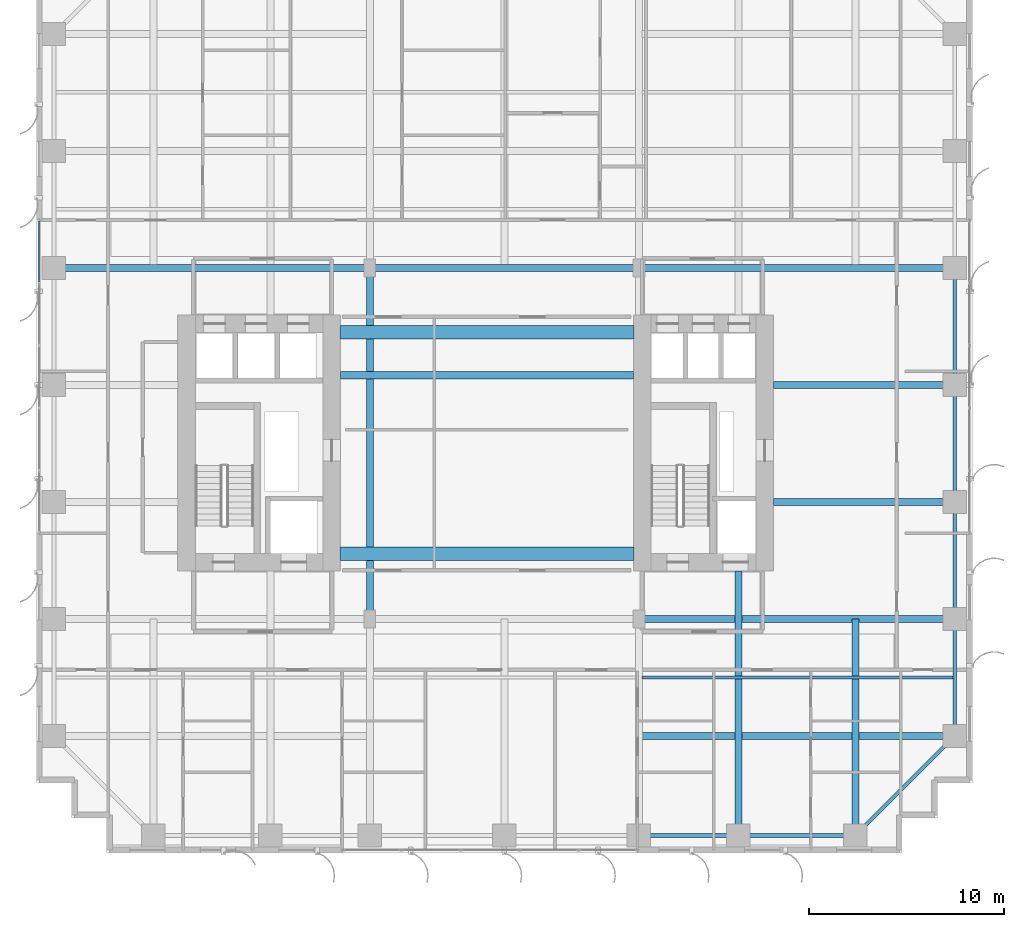
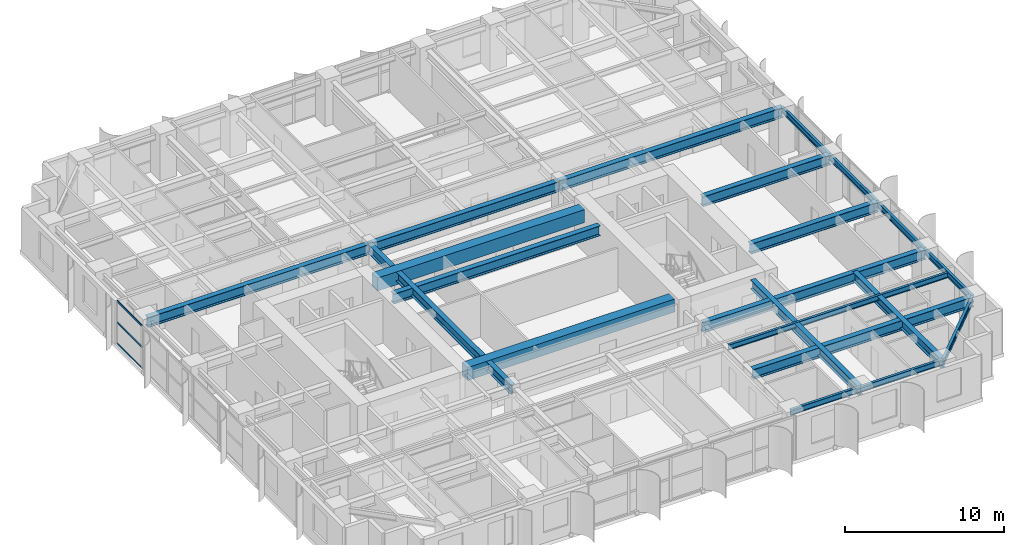
# One storey, part 6 of 23: 21 beams, 3 members, 1 element without a shape of its own.
"""IFC4 building model written with IfcOpenShell, lengths in metres."""

from ifc_helpers import new_model, si_unit, direction, frame, origin, origin_2d, place, context, subcontext, project, spatial, rectangle, hollow_rectangle, i_section, extrude, source, transform, mapped, material, layer, layer_set, material_profile, profile_set, type_object, element, aggregate, save


model = new_model("IFC4")

# Units and contexts
model_context = context("Model", 3, precision=1e-05, world=origin(), true_north=direction((0.0, 1.0)))
body_context = subcontext(model_context, "Body", "Model", "MODEL_VIEW")
ifc_project = project(units=[si_unit("LENGTHUNIT", "METRE"), si_unit("AREAUNIT", "SQUARE_METRE"), si_unit("VOLUMEUNIT", "CUBIC_METRE"), si_unit("PLANEANGLEUNIT", "RADIAN"), si_unit("MASSUNIT", "GRAM", prefix="KILO")], contexts=[model_context])

# Site, building, storey
site_placement = place(None, origin())
site = spatial("IfcSite", under=ifc_project, at=site_placement, CompositionType="ELEMENT")
building_placement = place(site_placement, origin())
building = spatial("IfcBuilding", under=site, at=building_placement, Name="Khoralis Quay Care Tower", CompositionType="ELEMENT")
storey_placement = place(building_placement, frame((0.0, 0.0, 33.300048828125)))
storey = spatial("IfcBuildingStorey", under=building, at=storey_placement, Name="L08", CompositionType="ELEMENT", Elevation=33.300048828125)

# Beams
ifc_material_1 = material(Name="Concrete C80/95", Category="concrete")
ifc_material_profile_1 = material_profile(ifc_material_1, rectangle(XDim=0.699951171875, YDim=1.0, at=origin_2d()), Name="Concrete C80/95")
ifc_profile_set_1 = profile_set([ifc_material_profile_1], Name="Concrete C80/95")
beam_type_1 = type_object("IfcBeamType", Name="CB-RC700X1000", PredefinedType="LINTEL", material=ifc_profile_set_1)
shared_shape_1 = source(origin(), body_context, "Body", "SweptSolid", [
    extrude(rectangle(XDim=0.699951171875, YDim=1.0, at=origin_2d()), origin(), (0.0, 0.0, 1.0), 15.079833984375),
])
for number, where, z_axis, x_axis, name in (
    (1, (15.570068359375, 15.35009765625, 2.820068359375), (1.0, 0.0, 0.0), (0.0, 1.0, 0.0), "L08 South Core Coupling Lintel"),
    (2, (15.570068359375, 26.699951171875, 2.820068359375), (1.0, 0.0, 0.0), (0.0, 1.0, 0.0), "L08 North Core Coupling Lintel"),
):
    element("IfcBeam", number, at=place(storey_placement, frame(where, z_axis=z_axis, x_axis=x_axis)), inside=storey, type_object=beam_type_1, Name=name, PredefinedType="LINTEL", context=body_context, shape_type="MappedRepresentation", body=[
        mapped(shared_shape_1, transform((0.0, 0.0, 0.0), scale=1.0)),
    ])
ifc_material_2 = material(Name="Steel S355", Category="steel")
ifc_material_profile_2 = material_profile(ifc_material_2, i_section(OverallWidth=0.18994140625, OverallDepth=0.449951171875, WebThickness=0.009521484375, FlangeThickness=0.0146484375, FilletRadius=0.02099609375, at=origin_2d()), Name="Steel S355")
ifc_profile_set_2 = profile_set([ifc_material_profile_2], Name="Steel S355")
beam_type_2 = type_object("IfcBeamType", Name="BM-IPE450", PredefinedType="SPANDREL", material=ifc_profile_set_2)
shared_shape_2 = source(origin(), body_context, "Body", "SweptSolid", [
    extrude(i_section(OverallWidth=0.18994140625, OverallDepth=0.449951171875, WebThickness=0.009521484375, FlangeThickness=0.0146484375, FilletRadius=0.02099609375, at=origin_2d()), origin(), (0.0, 0.0, 1.0), 6.0),
])
for number, where, z_axis, x_axis, name in (
    (3, (36.0, 0.89990234375, 3.094970703125), (1.0, 0.0, 0.0), (0.0, 1.0, 0.0), "BM-TSP-L08-06"),
    (4, (47.10009765625, 6.0, 3.094970703125), (0.0, 1.0, 0.0), (-1.0, 0.0, 0.0), "BM-TSP-L08-19"),
    (5, (47.10009765625, 12.0, 3.094970703125), (0.0, 1.0, 0.0), (-1.0, 0.0, 0.0), "BM-TSP-L08-20"),
    (6, (47.10009765625, 18.0, 3.094970703125), (0.0, 1.0, 0.0), (-1.0, 0.0, 0.0), "BM-TSP-L08-21"),
    (7, (47.10009765625, 24.0, 3.094970703125), (0.0, 1.0, 0.0), (-1.0, 0.0, 0.0), "BM-TSP-L08-22"),
):
    element("IfcBeam", number, at=place(storey_placement, frame(where, z_axis=z_axis, x_axis=x_axis)), inside=storey, type_object=beam_type_2, Name=name, PredefinedType="SPANDREL", context=body_context, shape_type="MappedRepresentation", body=[
        mapped(shared_shape_2, transform((0.0, 0.0, 0.0), scale=1.0)),
    ])
shared_shape_3 = source(origin(), body_context, "Body", "SweptSolid", [
    extrude(i_section(OverallWidth=0.18994140625, OverallDepth=0.449951171875, WebThickness=0.009521484375, FlangeThickness=0.0146484375, FilletRadius=0.02099609375, at=origin_2d()), origin(), (0.0, 0.0, 1.0), 5.10009765625),
])
beam_1_placement = place(storey_placement, frame((30.89990234375, 0.89990234375, 3.094970703125), z_axis=(1.0, 0.0, 0.0), x_axis=(0.0, 1.0, 0.0)))
element("IfcBeam", 8, at=beam_1_placement, inside=storey, type_object=beam_type_2, Name="BM-TSP-L08-05", PredefinedType="SPANDREL", context=body_context, shape_type="MappedRepresentation", body=[
    mapped(shared_shape_3, transform((0.0, 0.0, 0.0), scale=1.0)),
])
shared_shape_4 = source(origin(), body_context, "Body", "SweptSolid", [
    extrude(i_section(OverallWidth=0.18994140625, OverallDepth=0.449951171875, WebThickness=0.009521484375, FlangeThickness=0.0146484375, FilletRadius=0.02099609375, at=origin_2d()), origin(), (0.0, 0.0, 1.0), 7.212646484375),
])
beam_2_placement = place(storey_placement, frame((42.0, 0.89990234375, 3.094970703125), z_axis=(0.707106781187, 0.707106781187, 0.0), x_axis=(-0.707106781187, 0.707106781187, 0.0)))
element("IfcBeam", 9, at=beam_2_placement, inside=storey, type_object=beam_type_2, Name="BM-TCR-L08-26", PredefinedType="SPANDREL", context=body_context, shape_type="MappedRepresentation", body=[
    mapped(shared_shape_4, transform((0.0, 0.0, 0.0), scale=1.0)),
])
ifc_material_profile_3 = material_profile(ifc_material_2, i_section(OverallWidth=0.381103515625, OverallDepth=0.77294921875, WebThickness=0.0166015625, FlangeThickness=0.027587890625, FilletRadius=0.02197265625, at=origin_2d()), Name="Steel S355")
ifc_profile_set_3 = profile_set([ifc_material_profile_3], Name="Steel S355")
beam_type_3 = type_object("IfcBeamType", Name="BM-W760X257", PredefinedType="BEAM", material=ifc_profile_set_3)
shared_shape_5 = source(origin(), body_context, "Body", "SweptSolid", [
    extrude(i_section(OverallWidth=0.381103515625, OverallDepth=0.77294921875, WebThickness=0.0166015625, FlangeThickness=0.027587890625, FilletRadius=0.02197265625, at=origin_2d()), origin(), (0.0, 0.0, 1.0), 16.03466796875),
])
beam_3_placement = place(storey_placement, frame((31.0654296875, 6.0, 2.933349609375), z_axis=(1.0, 0.0, 0.0), x_axis=(0.0, 1.0, 0.0)))
element("IfcBeam", 10, at=beam_3_placement, inside=storey, type_object=beam_type_3, Name="BM-TGXE-L08-60", PredefinedType="BEAM", context=body_context, shape_type="MappedRepresentation", body=[
    mapped(shared_shape_5, transform((0.0, 0.0, 0.0), scale=1.0)),
])
shared_shape_6 = source(origin(), body_context, "Body", "SweptSolid", [
    extrude(i_section(OverallWidth=0.381103515625, OverallDepth=0.77294921875, WebThickness=0.0166015625, FlangeThickness=0.027587890625, FilletRadius=0.02197265625, at=origin_2d()), origin(), (0.0, 0.0, 1.0), 16.2001953125),
])
for number, where, z_axis, x_axis, name in (
    (11, (0.89990234375, 30.0, 2.933349609375), (1.0, 0.0, 0.0), (0.0, 1.0, 0.0), "BM-TGXW-L08-300"),
    (12, (30.89990234375, 12.0, 2.933349609375), (1.0, 0.0, 0.0), (0.0, 1.0, 0.0), "BM-TGXE-L08-120"),
    (13, (30.89990234375, 30.0, 2.933349609375), (1.0, 0.0, 0.0), (0.0, 1.0, 0.0), "BM-TGXE-L08-300"),
):
    element("IfcBeam", number, at=place(storey_placement, frame(where, z_axis=z_axis, x_axis=x_axis)), inside=storey, type_object=beam_type_3, Name=name, PredefinedType="BEAM", context=body_context, shape_type="MappedRepresentation", body=[
        mapped(shared_shape_6, transform((0.0, 0.0, 0.0), scale=1.0)),
    ])
shared_shape_7 = source(origin(), body_context, "Body", "SweptSolid", [
    extrude(i_section(OverallWidth=0.381103515625, OverallDepth=0.77294921875, WebThickness=0.0166015625, FlangeThickness=0.027587890625, FilletRadius=0.02197265625, at=origin_2d()), origin(), (0.0, 0.0, 1.0), 9.302001953125),
])
for number, where, z_axis, x_axis, name in (
    (14, (37.798095703125, 18.0, 2.933349609375), (1.0, 0.0, 0.0), (0.0, 1.0, 0.0), "BM-TGXE-L08-180"),
    (15, (37.798095703125, 24.0, 2.933349609375), (1.0, 0.0, 0.0), (0.0, 1.0, 0.0), "BM-TGXE-L08-240"),
):
    element("IfcBeam", number, at=place(storey_placement, frame(where, z_axis=z_axis, x_axis=x_axis)), inside=storey, type_object=beam_type_3, Name=name, PredefinedType="BEAM", context=body_context, shape_type="MappedRepresentation", body=[
        mapped(shared_shape_7, transform((0.0, 0.0, 0.0), scale=1.0)),
    ])
shared_shape_8 = source(origin(), body_context, "Body", "SweptSolid", [
    extrude(i_section(OverallWidth=0.381103515625, OverallDepth=0.77294921875, WebThickness=0.0166015625, FlangeThickness=0.027587890625, FilletRadius=0.02197265625, at=origin_2d()), origin(), (0.0, 0.0, 1.0), 13.7998046875),
])
beam_4_placement = place(storey_placement, frame((17.10009765625, 30.0, 2.933349609375), z_axis=(1.0, 0.0, 0.0), x_axis=(0.0, 1.0, 0.0)))
element("IfcBeam", 16, at=beam_4_placement, inside=storey, type_object=beam_type_3, Name="BM-TGCC-L08-300", PredefinedType="BEAM", context=body_context, shape_type="MappedRepresentation", body=[
    mapped(shared_shape_8, transform((0.0, 0.0, 0.0), scale=1.0)),
])
shared_shape_9 = source(origin(), body_context, "Body", "SweptSolid", [
    extrude(i_section(OverallWidth=0.381103515625, OverallDepth=0.77294921875, WebThickness=0.0166015625, FlangeThickness=0.027587890625, FilletRadius=0.02197265625, at=origin_2d()), origin(), (0.0, 0.0, 1.0), 15.024169921875),
])
beam_5_placement = place(storey_placement, frame((15.597900390625, 24.5, 2.933349609375), z_axis=(1.0, 0.0, 0.0), x_axis=(0.0, 1.0, 0.0)))
element("IfcBeam", 17, at=beam_5_placement, inside=storey, type_object=beam_type_3, Name="BM-TGCC-L08-245", PredefinedType="BEAM", context=body_context, shape_type="MappedRepresentation", body=[
    mapped(shared_shape_9, transform((0.0, 0.0, 0.0), scale=1.0)),
])
ifc_material_profile_4 = material_profile(ifc_material_2, i_section(OverallWidth=0.35498046875, OverallDepth=0.695068359375, WebThickness=0.015380859375, FlangeThickness=0.02490234375, FilletRadius=0.02001953125, at=origin_2d()), Name="Steel S355")
ifc_profile_set_4 = profile_set([ifc_material_profile_4], Name="Steel S355")
beam_type_4 = type_object("IfcBeamType", Name="BM-W690X217", PredefinedType="BEAM", material=ifc_profile_set_4)
shared_shape_10 = source(origin(), body_context, "Body", "SweptSolid", [
    extrude(i_section(OverallWidth=0.35498046875, OverallDepth=0.695068359375, WebThickness=0.015380859375, FlangeThickness=0.02490234375, FilletRadius=0.02001953125, at=origin_2d()), origin(), (0.0, 0.0, 1.0), 11.10009765625),
])
beam_6_placement = place(storey_placement, frame((42.0, 0.89990234375, 2.972412109375), z_axis=(0.0, 1.0, 0.0), x_axis=(-1.0, 0.0, 0.0)))
element("IfcBeam", 18, at=beam_6_placement, inside=storey, type_object=beam_type_4, Name="BM-TGYS-L08-420", PredefinedType="BEAM", context=body_context, shape_type="MappedRepresentation", body=[
    mapped(shared_shape_10, transform((0.0, 0.0, 0.0), scale=1.0)),
])
shared_shape_11 = source(origin(), body_context, "Body", "SweptSolid", [
    extrude(i_section(OverallWidth=0.35498046875, OverallDepth=0.695068359375, WebThickness=0.015380859375, FlangeThickness=0.02490234375, FilletRadius=0.02001953125, at=origin_2d()), origin(), (0.0, 0.0, 1.0), 13.552001953125),
])
beam_7_placement = place(storey_placement, frame((36.0, 0.89990234375, 2.972412109375), z_axis=(0.0, 1.0, 0.0), x_axis=(-1.0, 0.0, 0.0)))
element("IfcBeam", 19, at=beam_7_placement, inside=storey, type_object=beam_type_4, Name="BM-TGYS-L08-360", PredefinedType="BEAM", context=body_context, shape_type="MappedRepresentation", body=[
    mapped(shared_shape_11, transform((0.0, 0.0, 0.0), scale=1.0)),
])
shared_shape_12 = source(origin(), body_context, "Body", "SweptSolid", [
    extrude(i_section(OverallWidth=0.35498046875, OverallDepth=0.695068359375, WebThickness=0.015380859375, FlangeThickness=0.02490234375, FilletRadius=0.02001953125, at=origin_2d()), origin(), (0.0, 0.0, 1.0), 18.0),
])
beam_8_placement = place(storey_placement, frame((17.10009765625, 12.0, 2.972412109375), z_axis=(0.0, 1.0, 0.0), x_axis=(-1.0, 0.0, 0.0)))
element("IfcBeam", 20, at=beam_8_placement, inside=storey, type_object=beam_type_4, Name="BM-TGSW-L08", PredefinedType="BEAM", context=body_context, shape_type="MappedRepresentation", body=[
    mapped(shared_shape_12, transform((0.0, 0.0, 0.0), scale=1.0)),
])
ifc_material_profile_5 = material_profile(ifc_material_2, i_section(OverallWidth=0.177978515625, OverallDepth=0.406982421875, WebThickness=0.0078125, FlangeThickness=0.0126953125, FilletRadius=0.012939453125, at=origin_2d()), Name="Steel S355")
ifc_profile_set_5 = profile_set([ifc_material_profile_5], Name="Steel S355")
beam_type_5 = type_object("IfcBeamType", Name="BM-W410X60", PredefinedType="JOIST", material=ifc_profile_set_5)
shared_shape_13 = source(origin(), body_context, "Body", "SweptSolid", [
    extrude(i_section(OverallWidth=0.177978515625, OverallDepth=0.406982421875, WebThickness=0.0078125, FlangeThickness=0.0126953125, FilletRadius=0.012939453125, at=origin_2d()), origin(), (0.0, 0.0, 1.0), 15.95361328125),
])
beam_9_placement = place(storey_placement, frame((31.0654296875, 9.0, 3.116455078125), z_axis=(1.0, 0.0, 0.0), x_axis=(0.0, 1.0, 0.0)))
element("IfcBeam", 21, at=beam_9_placement, inside=storey, type_object=beam_type_5, Name="BM-TJS-L08-30", PredefinedType="JOIST", context=body_context, shape_type="MappedRepresentation", body=[
    mapped(shared_shape_13, transform((0.0, 0.0, 0.0), scale=1.0)),
])

# Curtain wall, members
ifc_material_3 = material(Name="Pale anodised aluminium", Category="aluminium")
ifc_layer = layer(ifc_material_3, 0.179931640625)
ifc_layer_set = layer_set([ifc_layer], Name="Pale anodised aluminium")
curtain_wall_type = type_object("IfcCurtainWallType", Name="CW-SYS-Z1", PredefinedType="NOTDEFINED", material=ifc_layer_set)
curtain_wall_placement = place(storey_placement, origin())
curtain_wall = element("IfcCurtainWall", 22, at=curtain_wall_placement, inside=storey, type_object=curtain_wall_type, Name="L08 Unitised Curtain Wall CW-L08-P1-E15", PredefinedType="NOTDEFINED")
ifc_material_profile_6 = material_profile(ifc_material_3, hollow_rectangle(XDim=0.06005859375, YDim=0.139892578125, WallThickness=0.00390625, at=origin_2d()), Name="Pale anodised aluminium")
ifc_profile_set_6 = profile_set([ifc_material_profile_6], Name="Pale anodised aluminium")
member_type = type_object("IfcMemberType", Name="CW-TRN-140", PredefinedType="USERDEFINED", material=ifc_profile_set_6)
shared_shape_14 = source(origin(), body_context, "Body", "SweptSolid", [
    extrude(hollow_rectangle(XDim=0.06005859375, YDim=0.139892578125, WallThickness=0.00390625, at=origin_2d()), origin(), (0.0, 0.0, 1.0), 3.121826171875),
])
member_1_placement = place(storey_placement, frame((0.14990234375, 32.39990234375, 0.030029296875), z_axis=(0.0, -1.0, 0.0), x_axis=(1.0, 0.0, 0.0)))
member_1 = element("IfcMember", 23, at=member_1_placement, type_object=member_type, Name="CW1 transom 1.1", ObjectType="TRANSOM", PredefinedType="USERDEFINED", context=body_context, shape_type="MappedRepresentation", body=[
    mapped(shared_shape_14, transform((0.0, 0.0, 0.0), scale=1.0)),
])
member_2_placement = place(storey_placement, frame((0.14990234375, 32.39990234375, 1.659912109375), z_axis=(0.0, -1.0, 0.0), x_axis=(1.0, 0.0, 0.0)))
member_2 = element("IfcMember", 24, at=member_2_placement, type_object=member_type, Name="CW1 transom 1.2", ObjectType="TRANSOM", PredefinedType="USERDEFINED", context=body_context, shape_type="MappedRepresentation", body=[
    mapped(shared_shape_14, transform((0.0, 0.0, 0.0), scale=1.0)),
])
member_3_placement = place(storey_placement, frame((0.14990234375, 32.39990234375, 3.2900390625), z_axis=(0.0, -1.0, 0.0), x_axis=(1.0, 0.0, 0.0)))
member_3 = element("IfcMember", 25, at=member_3_placement, type_object=member_type, Name="CW1 transom 1.3", ObjectType="TRANSOM", PredefinedType="USERDEFINED", context=body_context, shape_type="MappedRepresentation", body=[
    mapped(shared_shape_14, transform((0.0, 0.0, 0.0), scale=1.0)),
])
aggregate(curtain_wall, [member_1, member_2, member_3])

save(model, "model.ifc")
